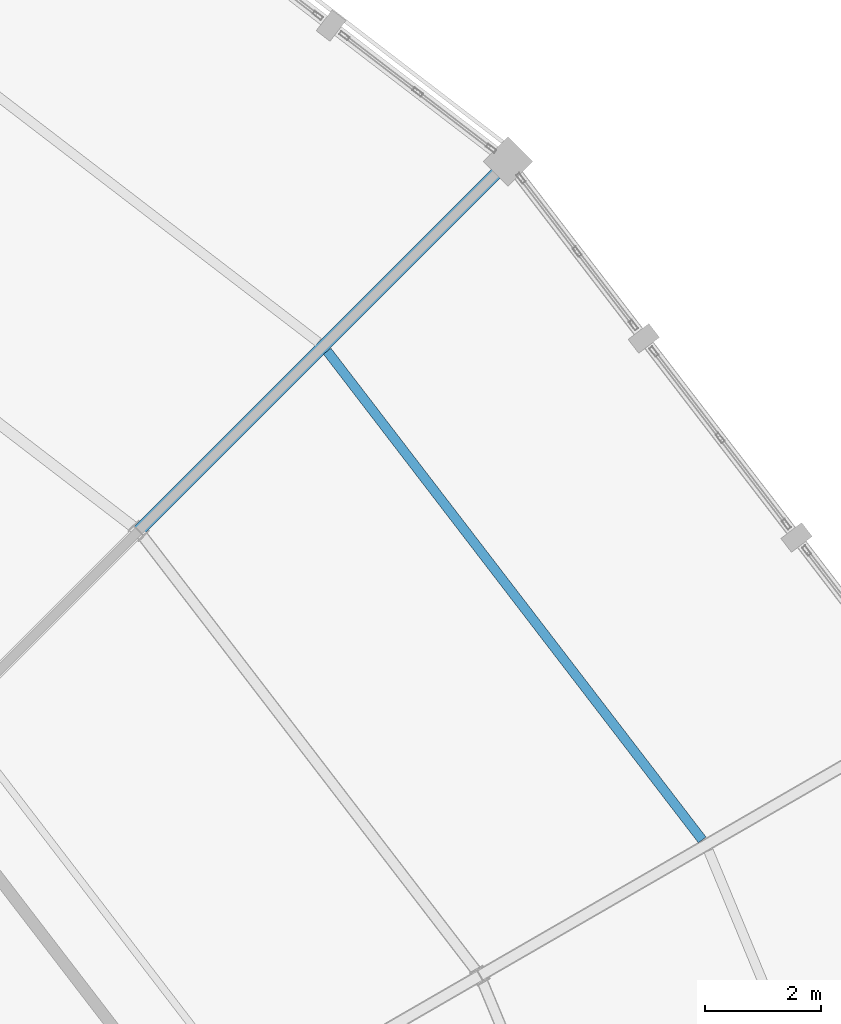
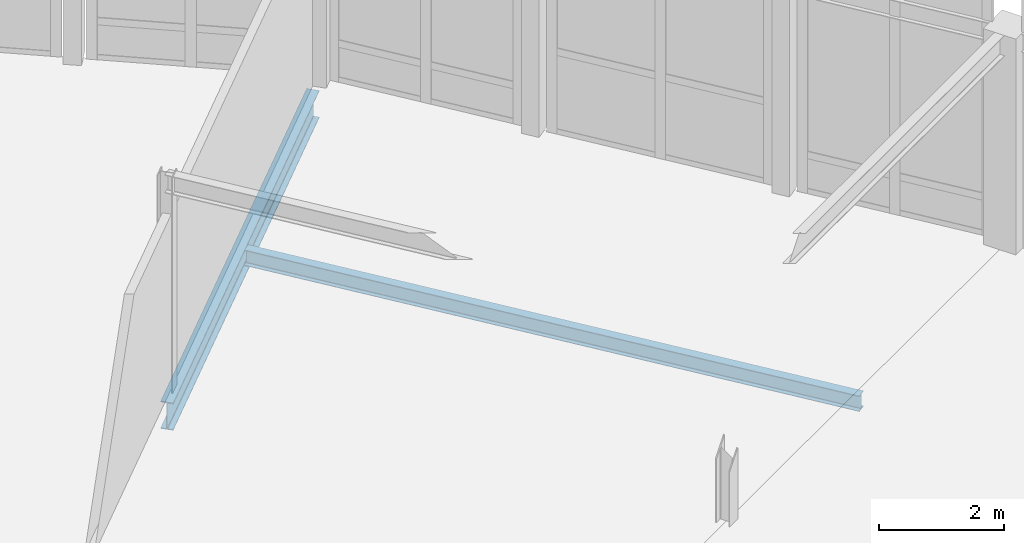
# One storey, part 130 of 185: 2 beams.
"""IFC4 building model written with IfcOpenShell, lengths in metres."""

from ifc_helpers import new_model, si_unit, direction, frame, origin, origin_2d, place, context, subcontext, project, spatial, i_section, extrude, material, material_profile, profile_set, type_object, element, save


model = new_model("IFC4")

# Units and contexts
model_context = context("Model", 3, precision=1e-05, world=origin(), true_north=direction((0.0, 1.0)))
body_context = subcontext(model_context, "Body", "Model", "MODEL_VIEW")
ifc_project = project(units=[si_unit("LENGTHUNIT", "METRE"), si_unit("AREAUNIT", "SQUARE_METRE"), si_unit("VOLUMEUNIT", "CUBIC_METRE"), si_unit("PLANEANGLEUNIT", "RADIAN"), si_unit("MASSUNIT", "GRAM", prefix="KILO")], contexts=[model_context])

# Site, building, storey
site_placement = place(None, origin())
site = spatial("IfcSite", under=ifc_project, at=site_placement, CompositionType="ELEMENT")
building_placement = place(site_placement, origin())
building = spatial("IfcBuilding", under=site, at=building_placement, Name="Vondelvale Polytechnic", CompositionType="ELEMENT")
storey_placement = place(building_placement, frame((0.0, 0.0, 9.60009765625)))
storey = spatial("IfcBuildingStorey", under=building, at=storey_placement, Name="L02", CompositionType="ELEMENT", Elevation=9.60009765625)

# Beams
ifc_material = material(Name="Steel 300PLUS (fy = 300 MPa)", Category="steel")
ifc_material_profile_1 = material_profile(ifc_material, i_section(OverallWidth=0.208984375, OverallDepth=0.532958984375, WebThickness=0.01025390625, FlangeThickness=0.015625, FilletRadius=0.013916015625, at=origin_2d()), Name="530UB92.4")
ifc_profile_set_1 = profile_set([ifc_material_profile_1], Name="Steel 300PLUS (fy = 300 MPa)")
beam_type_1 = type_object("IfcBeamType", Name="BM-UB530", PredefinedType="BEAM", material=ifc_profile_set_1)
beam_1_placement = place(storey_placement, frame((128.1630859375, 98.1630859375, -0.546630859375), z_axis=(0.707106781187, 0.707106781187, 0.0), x_axis=(-0.707106781187, 0.707106781187, 0.0)))
element("IfcBeam", 1, at=beam_1_placement, inside=storey, type_object=beam_type_1, Name="L02 RG B-11", PredefinedType="BEAM", context=body_context, shape_type="SweptSolid", body=[
    extrude(i_section(OverallWidth=0.208984375, OverallDepth=0.532958984375, WebThickness=0.01025390625, FlangeThickness=0.015625, FilletRadius=0.013916015625, at=origin_2d()), origin(), (0.0, 0.0, 1.0), 8.999755859375),
])
ifc_material_profile_2 = material_profile(ifc_material, i_section(OverallWidth=0.1650390625, OverallDepth=0.303955078125, WebThickness=0.006103515625, FlangeThickness=0.01025390625, FilletRadius=0.011474609375, at=origin_2d()), Name="310UB40.4")
ifc_profile_set_2 = profile_set([ifc_material_profile_2], Name="Steel 300PLUS (fy = 300 MPa)")
beam_type_2 = type_object("IfcBeamType", Name="JST-UB310", PredefinedType="JOIST", material=ifc_profile_set_2)
beam_2_placement = place(storey_placement, frame((137.873046875, 92.83740234375, -0.43212890625), z_axis=(-0.608770977523, 0.793346013368, 0.0), x_axis=(-0.793346013368, -0.608770977523, 0.0)))
element("IfcBeam", 2, at=beam_2_placement, inside=storey, type_object=beam_type_2, Name="L02 RJ J-05", PredefinedType="JOIST", context=body_context, shape_type="SweptSolid", body=[
    extrude(i_section(OverallWidth=0.1650390625, OverallDepth=0.303955078125, WebThickness=0.006103515625, FlangeThickness=0.01025390625, FilletRadius=0.011474609375, at=origin_2d()), origin(), (0.0, 0.0, 1.0), 10.613525390625),
])

save(model, "model.ifc")
